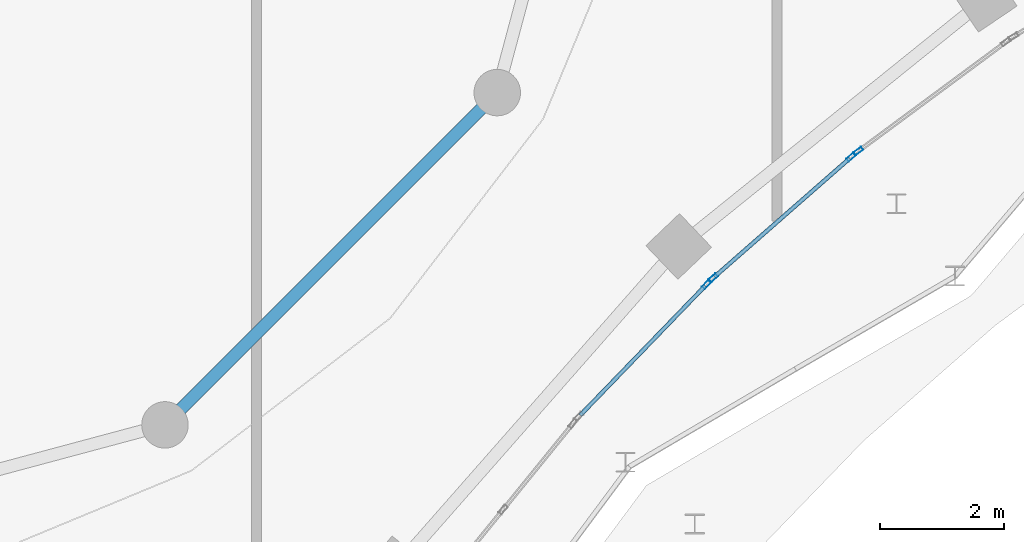
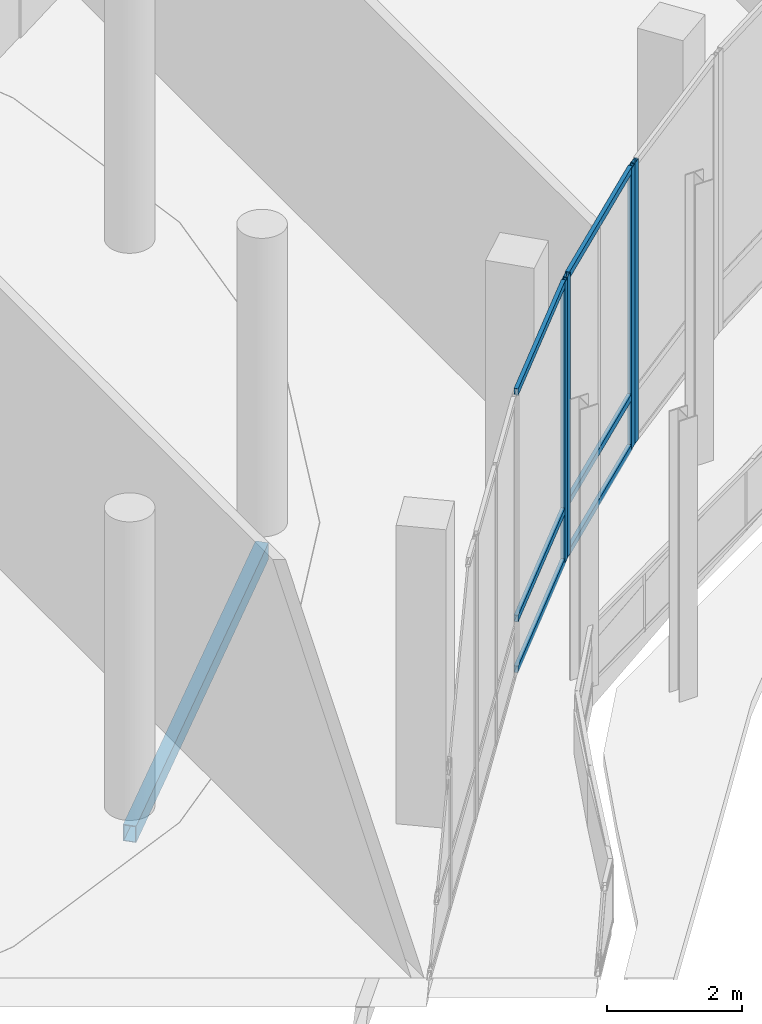
# One storey, part 60 of 158: 10 members, 1 beam, 3 elements without a shape of their own.
"""IFC4 building model written with IfcOpenShell, lengths in metres."""

from ifc_helpers import new_model, si_unit, direction, frame, origin, origin_2d, place, context, subcontext, project, spatial, hollow_rectangle, extrude, material, material_profile, profile_set, type_object, element, aggregate, save


model = new_model("IFC4")

# Units and contexts
model_context = context("Model", 3, precision=1e-05, world=origin(), true_north=direction((0.0, 1.0)))
body_context = subcontext(model_context, "Body", "Model", "MODEL_VIEW")
ifc_project = project(units=[si_unit("LENGTHUNIT", "METRE"), si_unit("AREAUNIT", "SQUARE_METRE"), si_unit("VOLUMEUNIT", "CUBIC_METRE"), si_unit("PLANEANGLEUNIT", "RADIAN"), si_unit("MASSUNIT", "GRAM", prefix="KILO")], contexts=[model_context])

# Site, building, storey
site_placement = place(None, origin())
site = spatial("IfcSite", under=ifc_project, at=site_placement, CompositionType="ELEMENT")
building_placement = place(site_placement, origin())
building = spatial("IfcBuilding", under=site, at=building_placement, Name="Selatvlak General Hospital", CompositionType="ELEMENT")
storey_placement = place(building_placement, origin())
storey = spatial("IfcBuildingStorey", under=building, at=storey_placement, Name="L00", CompositionType="ELEMENT", Elevation=0.0)

# Beam
ifc_material_1 = material(Name="Steel S355", Category="steel")
ifc_material_profile_1 = material_profile(ifc_material_1, hollow_rectangle(XDim=0.199951171875, YDim=0.300048828125, WallThickness=0.011962890625, at=origin_2d()), Name="RHS 300x200x12")
ifc_profile_set_1 = profile_set([ifc_material_profile_1], Name="Steel S355")
beam_type = type_object("IfcBeamType", Name="BM-SP3", PredefinedType="SPANDREL", material=ifc_profile_set_1)
beam_placement = place(storey_placement, frame((105.324951171875, 41.31298828125, -0.5), z_axis=(0.707106781187, 0.707106781187, 0.0), x_axis=(-0.707106781187, 0.707106781187, 0.0)))
element("IfcBeam", 1, at=beam_placement, inside=storey, type_object=beam_type, Name="Beam BMR-L00-0327", PredefinedType="SPANDREL", context=body_context, shape_type="SweptSolid", body=[
    extrude(hollow_rectangle(XDim=0.199951171875, YDim=0.300048828125, WallThickness=0.011962890625, at=origin_2d()), origin(), (0.0, 0.0, 1.0), 7.5830078125),
])

# Curtain wall, member
ifc_material_2 = material(Name="Solar-control Low-E double glazing", Category="glass")
curtain_wall_type_1 = type_object("IfcCurtainWallType", Name="CW-CW-01", PredefinedType="USERDEFINED", material=ifc_material_2)
curtain_wall_1_placement = place(storey_placement, origin())
curtain_wall_1 = element("IfcCurtainWall", 2, at=curtain_wall_1_placement, inside=storey, type_object=curtain_wall_type_1, Name="Glazed facade curtain wall CW-L00-0039", ObjectType="UNITISED CURTAIN WALL", PredefinedType="USERDEFINED")
ifc_material_3 = material(Name="Dark anodised aluminium mullion", Category="aluminium")
ifc_material_profile_2 = material_profile(ifc_material_3, hollow_rectangle(XDim=0.06494140625, YDim=0.159912109375, WallThickness=0.00390625, at=origin_2d()), Name="AL-MUL 65x160x4")
ifc_profile_set_2 = profile_set([ifc_material_profile_2], Name="Dark anodised aluminium mullion")
member_type_1 = type_object("IfcMemberType", Name="CWM-01", PredefinedType="MULLION", material=ifc_profile_set_2)
member_1_placement = place(storey_placement, frame((116.51220703125, 45.729248046875, 0.0), z_axis=(0.0, 0.0, 1.0), x_axis=(0.594604312607, -0.804018477045, 0.0)))
member_1 = element("IfcMember", 3, at=member_1_placement, type_object=member_type_1, Name="CW-01 mullion 2", PredefinedType="MULLION", context=body_context, shape_type="SweptSolid", body=[
    extrude(hollow_rectangle(XDim=0.06494140625, YDim=0.159912109375, WallThickness=0.00390625, at=origin_2d()), origin(), (0.0, 0.0, 1.0), 5.080078125),
])
aggregate(curtain_wall_1, [member_1])

# Curtain wall, members
curtain_wall_type_2 = type_object("IfcCurtainWallType", Name="CW-CW-02", PredefinedType="USERDEFINED", material=ifc_material_2)
curtain_wall_2_placement = place(storey_placement, origin())
curtain_wall_2 = element("IfcCurtainWall", 4, at=curtain_wall_2_placement, inside=storey, type_object=curtain_wall_type_2, Name="Glazed facade curtain wall CW-L00-0040", ObjectType="UNITISED CURTAIN WALL", PredefinedType="USERDEFINED")
member_2_placement = place(storey_placement, frame((116.400634765625, 45.636474609375, 0.0), z_axis=(0.0, 0.0, 1.0), x_axis=(0.658878257256, -0.752249587647, 0.0)))
member_2 = element("IfcMember", 5, at=member_2_placement, type_object=member_type_1, Name="CW-02 mullion 1", PredefinedType="MULLION", context=body_context, shape_type="SweptSolid", body=[
    extrude(hollow_rectangle(XDim=0.06494140625, YDim=0.159912109375, WallThickness=0.00390625, at=origin_2d()), origin(), (0.0, 0.0, 1.0), 5.080078125),
])
member_3_placement = place(storey_placement, frame((114.16943359375, 43.682373046875, 0.0), z_axis=(0.0, 0.0, 1.0), x_axis=(0.658878257256, -0.752249587647, 0.0)))
member_3 = element("IfcMember", 6, at=member_3_placement, type_object=member_type_1, Name="CW-02 mullion 2", PredefinedType="MULLION", context=body_context, shape_type="SweptSolid", body=[
    extrude(hollow_rectangle(XDim=0.06494140625, YDim=0.159912109375, WallThickness=0.00390625, at=origin_2d()), origin(), (0.0, 0.0, 1.0), 5.080078125),
])

# Curtain wall, member
curtain_wall_3_placement = place(storey_placement, origin())
curtain_wall_3 = element("IfcCurtainWall", 7, at=curtain_wall_3_placement, inside=storey, type_object=curtain_wall_type_1, Name="Glazed facade curtain wall CW-L00-0041", ObjectType="UNITISED CURTAIN WALL", PredefinedType="USERDEFINED")
member_4_placement = place(storey_placement, frame((114.06640625, 43.58056640625, 0.0), z_axis=(0.0, 0.0, 1.0), x_axis=(0.719196973261, -0.694806241805, 0.0)))
member_4 = element("IfcMember", 8, at=member_4_placement, type_object=member_type_1, Name="CW-01 mullion 1", PredefinedType="MULLION", context=body_context, shape_type="SweptSolid", body=[
    extrude(hollow_rectangle(XDim=0.06494140625, YDim=0.159912109375, WallThickness=0.00390625, at=origin_2d()), origin(), (0.0, 0.0, 1.0), 5.080078125),
])

# Member
ifc_material_profile_3 = material_profile(ifc_material_3, hollow_rectangle(XDim=0.06494140625, YDim=0.1201171875, WallThickness=0.00390625, at=origin_2d()), Name="AL-TRN 65x120x4")
ifc_profile_set_3 = profile_set([ifc_material_profile_3], Name="Dark anodised aluminium mullion")
member_type_2 = type_object("IfcMemberType", Name="CWT-01", PredefinedType="USERDEFINED", material=ifc_profile_set_3)
member_5_placement = place(storey_placement, frame((116.376220703125, 45.615234375, 0.032470703125), z_axis=(-0.752269034196, -0.658856054225, 0.0), x_axis=(0.658856054225, -0.752269034196, 0.0)))
member_5 = element("IfcMember", 9, at=member_5_placement, type_object=member_type_2, Name="CW-02 transom 1.1", ObjectType="TRANSOM", PredefinedType="USERDEFINED", context=body_context, shape_type="SweptSolid", body=[
    extrude(hollow_rectangle(XDim=0.06494140625, YDim=0.1201171875, WallThickness=0.00390625, at=origin_2d()), origin(), (0.0, 0.0, 1.0), 2.901123046875),
])

member_6_placement = place(storey_placement, frame((116.376220703125, 45.615234375, 0.949951171875), z_axis=(-0.752269034196, -0.658856054225, 0.0), x_axis=(0.658856054225, -0.752269034196, 0.0)))
member_6 = element("IfcMember", 10, at=member_6_placement, type_object=member_type_2, Name="CW-02 transom 1.2", ObjectType="TRANSOM", PredefinedType="USERDEFINED", context=body_context, shape_type="SweptSolid", body=[
    extrude(hollow_rectangle(XDim=0.06494140625, YDim=0.1201171875, WallThickness=0.00390625, at=origin_2d()), origin(), (0.0, 0.0, 1.0), 2.901123046875),
])

member_7_placement = place(storey_placement, frame((116.376220703125, 45.615234375, 5.047607421875), z_axis=(-0.752269034196, -0.658856054225, 0.0), x_axis=(0.658856054225, -0.752269034196, 0.0)))
member_7 = element("IfcMember", 11, at=member_7_placement, type_object=member_type_2, Name="CW-02 transom 1.3", ObjectType="TRANSOM", PredefinedType="USERDEFINED", context=body_context, shape_type="SweptSolid", body=[
    extrude(hollow_rectangle(XDim=0.06494140625, YDim=0.1201171875, WallThickness=0.00390625, at=origin_2d()), origin(), (0.0, 0.0, 1.0), 2.901123046875),
])

aggregate(curtain_wall_2, [member_2, member_3, member_5, member_6, member_7])

member_8_placement = place(storey_placement, frame((114.0439453125, 43.557373046875, 0.032470703125), z_axis=(-0.694812020929, -0.719191390085, 0.0), x_axis=(0.719191390085, -0.694812020929, 0.0)))
member_8 = element("IfcMember", 12, at=member_8_placement, type_object=member_type_2, Name="CW-01 transom 1.1", ObjectType="TRANSOM", PredefinedType="USERDEFINED", context=body_context, shape_type="SweptSolid", body=[
    extrude(hollow_rectangle(XDim=0.06494140625, YDim=0.1201171875, WallThickness=0.00390625, at=origin_2d()), origin(), (0.0, 0.0, 1.0), 2.904052734375),
])

member_9_placement = place(storey_placement, frame((114.0439453125, 43.557373046875, 0.949951171875), z_axis=(-0.694812020929, -0.719191390085, 0.0), x_axis=(0.719191390085, -0.694812020929, 0.0)))
member_9 = element("IfcMember", 13, at=member_9_placement, type_object=member_type_2, Name="CW-01 transom 1.2", ObjectType="TRANSOM", PredefinedType="USERDEFINED", context=body_context, shape_type="SweptSolid", body=[
    extrude(hollow_rectangle(XDim=0.06494140625, YDim=0.1201171875, WallThickness=0.00390625, at=origin_2d()), origin(), (0.0, 0.0, 1.0), 2.904052734375),
])

member_10_placement = place(storey_placement, frame((114.0439453125, 43.557373046875, 5.047607421875), z_axis=(-0.694812020929, -0.719191390085, 0.0), x_axis=(0.719191390085, -0.694812020929, 0.0)))
member_10 = element("IfcMember", 14, at=member_10_placement, type_object=member_type_2, Name="CW-01 transom 1.3", ObjectType="TRANSOM", PredefinedType="USERDEFINED", context=body_context, shape_type="SweptSolid", body=[
    extrude(hollow_rectangle(XDim=0.06494140625, YDim=0.1201171875, WallThickness=0.00390625, at=origin_2d()), origin(), (0.0, 0.0, 1.0), 2.904052734375),
])

aggregate(curtain_wall_3, [member_4, member_8, member_9, member_10])

save(model, "model.ifc")
